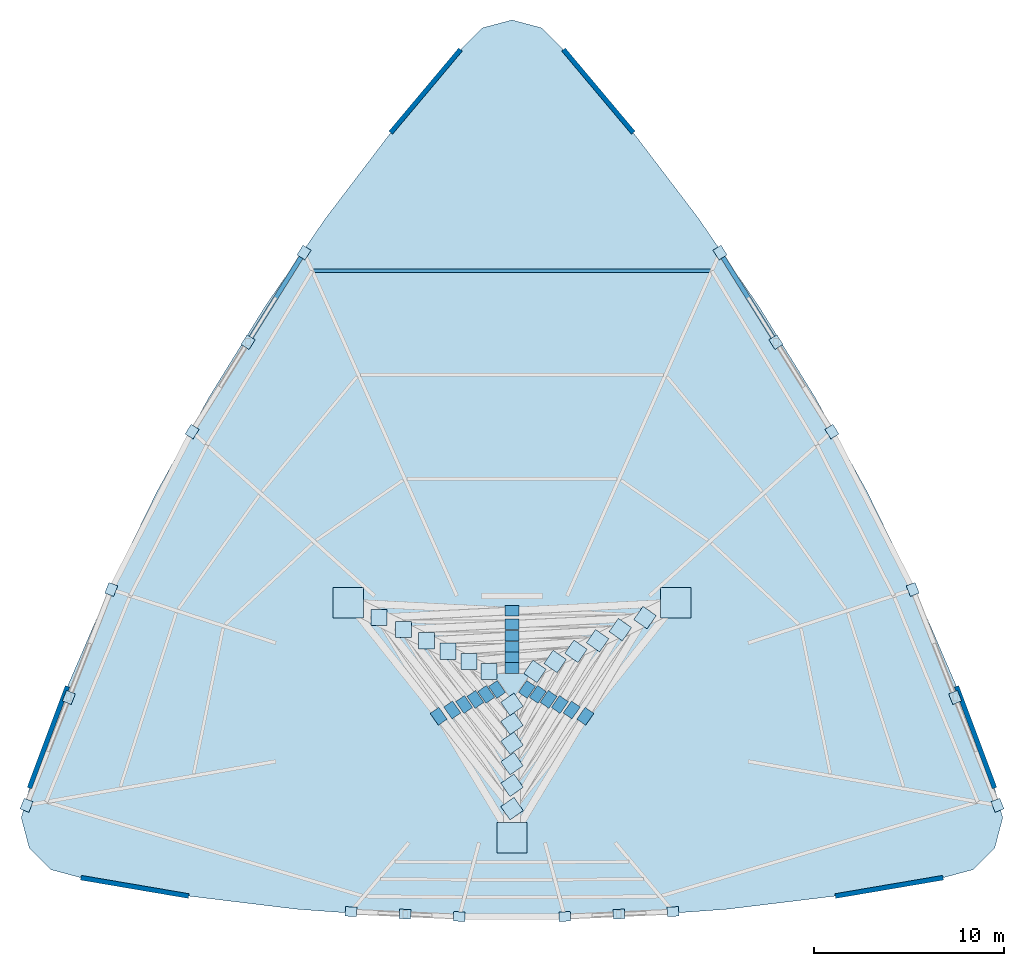
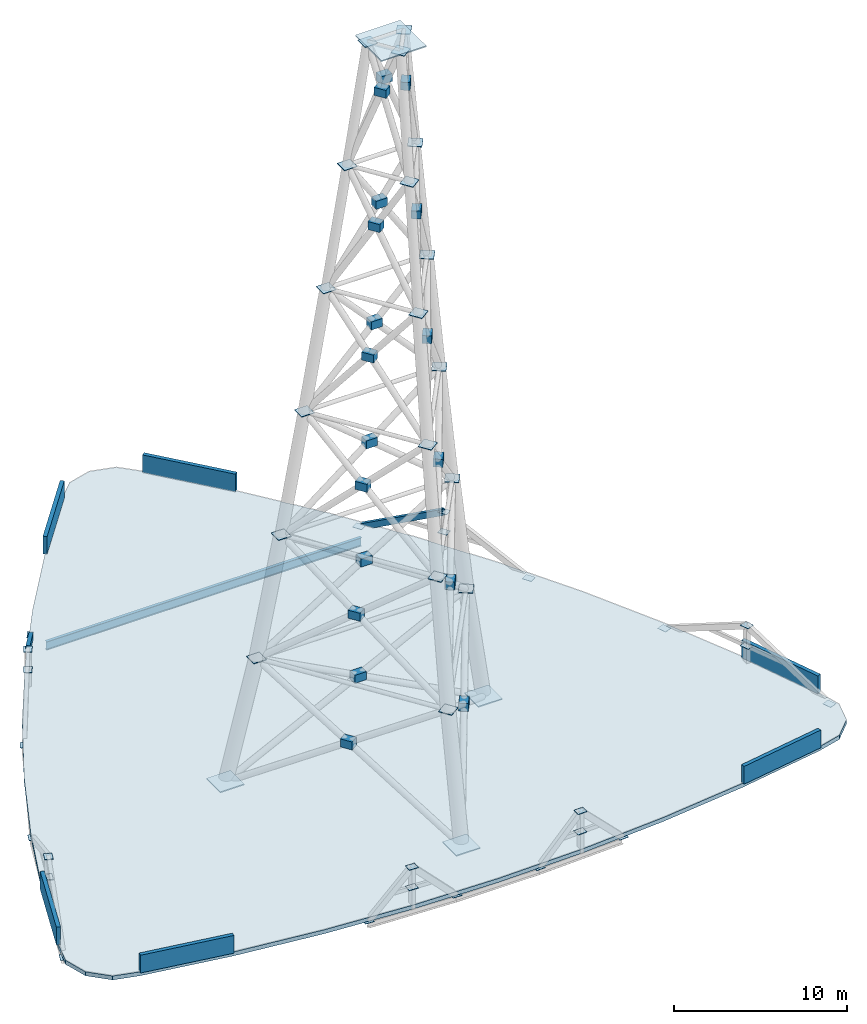
# One storey, part 6 of 7: 64 plates, 6 walls, 2 members, 1 beam, 1 slab.
"""IFC4 building model written with IfcOpenShell, lengths in metres."""

from ifc_helpers import new_model, si_unit, direction, frame, frame_2d, origin, origin_2d, place, context, subcontext, project, spatial, polyline, rectangle, hollow_rectangle, i_section, outline, extrude, source, transform, mapped, material, layer, layer_set, material_profile, profile_set, type_object, element, save


model = new_model("IFC4")

# Units and contexts
model_context = context("Model", 3, precision=1e-05, world=origin(), true_north=direction((0.0, 1.0)))
body_context = subcontext(model_context, "Body", "Model", "MODEL_VIEW")
ifc_project = project(units=[si_unit("LENGTHUNIT", "METRE"), si_unit("AREAUNIT", "SQUARE_METRE"), si_unit("VOLUMEUNIT", "CUBIC_METRE"), si_unit("PLANEANGLEUNIT", "RADIAN"), si_unit("MASSUNIT", "GRAM", prefix="KILO"), si_unit("THERMODYNAMICTEMPERATUREUNIT", "KELVIN"), si_unit("POWERUNIT", "WATT")], contexts=[model_context])

# Site, building, storey
site_placement = place(None, origin())
site = spatial("IfcSite", under=ifc_project, at=site_placement, CompositionType="ELEMENT")
building_placement = place(site_placement, origin())
building = spatial("IfcBuilding", under=site, at=building_placement, Name="Yunzhuo Pagoda Commons", CompositionType="ELEMENT")
storey_placement = place(building_placement, frame((0.0, 0.0, 401.760009765625)))
storey = spatial("IfcBuildingStorey", under=building, at=storey_placement, Name="Roof", CompositionType="ELEMENT", Elevation=401.760009765625)

# Beam
ifc_material_1 = material(Name="Structural steel Q355B", Category="steel")
ifc_material_profile_1 = material_profile(ifc_material_1, i_section(OverallWidth=0.199951171875, OverallDepth=0.60009765625, WebThickness=0.010986328125, FlangeThickness=0.01708984375, at=origin_2d()), Name="Structural steel Q355B")
ifc_profile_set_1 = profile_set([ifc_material_profile_1], Name="Structural steel Q355B")
beam_type = type_object("IfcBeamType", Name="B-RG3 Beam HN 600x200x11x17", PredefinedType="BEAM", material=ifc_profile_set_1)
shared_shape_1 = source(origin(), body_context, "Body", "SweptSolid", [
    extrude(i_section(OverallWidth=0.199951171875, OverallDepth=0.60009765625, WebThickness=0.010986328125, FlangeThickness=0.01708984375, at=origin_2d()), origin(), (0.0, 0.0, 1.0), 20.99755859375),
])
beam_placement = place(storey_placement, frame((58.498779296875, 57.281005859375, -0.580078125), z_axis=(-1.0, 0.0, 0.0), x_axis=(0.0, -1.0, 0.0)))
element("IfcBeam", 1, at=beam_placement, inside=storey, type_object=beam_type, Name="Roof column-ring beam 8", PredefinedType="BEAM", context=body_context, shape_type="MappedRepresentation", body=[
    mapped(shared_shape_1, transform((0.0, 0.0, 0.0), scale=1.0)),
])

# Members
ifc_material_profile_2 = material_profile(ifc_material_1, hollow_rectangle(XDim=0.25, YDim=0.39990234375, WallThickness=0.01611328125, at=origin_2d()), Name="Structural steel Q355B")
ifc_profile_set_2 = profile_set([ifc_material_profile_2], Name="Structural steel Q355B")
member_type = type_object("IfcMemberType", Name="M-RFT Rafter RHS 400x250x16", PredefinedType="RAFTER", material=ifc_profile_set_2)
shared_shape_2 = source(origin(), body_context, "Body", "SweptSolid", [
    extrude(hollow_rectangle(XDim=0.25, YDim=0.39990234375, WallThickness=0.01611328125, at=origin_2d()), origin(), (0.0, 0.0, 1.0), 6.250244140625),
])
member_1_placement = place(storey_placement, frame((58.92578125, 58.239990234375, -0.27978515625), z_axis=(0.470372250007, -0.752626848791, 0.460763250381), x_axis=(0.848008194019, 0.529983115652, 0.0)))
element("IfcMember", 2, at=member_1_placement, inside=storey, type_object=member_type, Name="Crown gable rafter F2.2R", PredefinedType="RAFTER", context=body_context, shape_type="MappedRepresentation", body=[
    mapped(shared_shape_2, transform((0.0, 0.0, 0.0), scale=1.0)),
])
shared_shape_3 = source(origin(), body_context, "Body", "SweptSolid", [
    extrude(hollow_rectangle(XDim=0.25, YDim=0.39990234375, WallThickness=0.01611328125, at=origin_2d()), origin(), (0.0, 0.0, 1.0), 6.25),
])
member_2_placement = place(storey_placement, frame((37.07421875, 58.239990234375, -0.27978515625), z_axis=(-0.470311409191, -0.752654504343, 0.460780181297), x_axis=(0.84804775343, -0.52991981271, 0.0)))
element("IfcMember", 3, at=member_2_placement, inside=storey, type_object=member_type, Name="Crown gable rafter F3.1L", PredefinedType="RAFTER", context=body_context, shape_type="MappedRepresentation", body=[
    mapped(shared_shape_3, transform((0.0, 0.0, 0.0), scale=1.0)),
])

# Slab
ifc_material_2 = material(Name="Concrete C40", Category="concrete")
ifc_layer_1 = layer(ifc_material_2, 0.280029296875)
ifc_layer_set_1 = layer_set([ifc_layer_1], Name="Concrete C40")
slab_type = type_object("IfcSlabType", Name="SL-RF1 Crown Drum Roof Slab 280", PredefinedType="ROOF", material=ifc_layer_set_1)
slab_placement = place(storey_placement, frame((0.0, 0.0, -0.280029296875)))
element("IfcSlab", 4, at=slab_placement, inside=storey, type_object=slab_type, Name="Crown drum structural roof slab", PredefinedType="ROOF", context=body_context, shape_type="SweptSolid", body=[
    extrude(outline(polyline([(22.64892578125, 30.10888671875), (22.2216796875, 28.541259765625), (22.6376953125, 26.970458984375), (23.78466796875, 25.819580078125), (25.353759765625, 25.39794921875), (31.015380859375, 24.43359375), (36.677001953125, 23.7451171875), (42.33837890625, 23.331787109375), (48.0, 23.194091796875), (53.66162109375, 23.331787109375), (59.322998046875, 23.7451171875), (64.984619140625, 24.43359375), (70.646240234375, 25.39794921875), (72.21533203125, 25.819580078125), (73.3623046875, 26.970458984375), (73.7783203125, 28.541259765625), (73.35107421875, 30.10888671875), (71.35302734375, 35.4443359375), (69.1171875, 40.64111328125), (66.643310546875, 45.69873046875), (63.931396484375, 50.61767578125), (60.981689453125, 55.397705078125), (57.7939453125, 60.038818359375), (54.368408203125, 64.541015625), (50.704833984375, 68.904296875), (49.5595703125, 70.04150390625), (48.0, 70.457275390625), (46.4404296875, 70.04150390625), (45.295166015625, 68.904296875), (41.631591796875, 64.541015625), (38.2060546875, 60.038818359375), (35.018310546875, 55.397705078125), (32.068603515625, 50.61767578125), (29.356689453125, 45.69873046875), (26.8828125, 40.64111328125), (24.64697265625, 35.4443359375), (22.64892578125, 30.10888671875)])), origin(), (0.0, 0.0, 1.0), 0.280029296875),
])

# Plates
ifc_layer_2 = layer(ifc_material_1, 0.028076171875)
ifc_layer_set_2 = layer_set([ifc_layer_2], Name="Structural steel Q355B")
plate_type_1 = type_object("IfcPlateType", Name="SP-ND1 Lattice Node Cap Plate 800x500x28", PredefinedType="USERDEFINED", material=ifc_layer_set_2)
shared_shape_4 = source(origin(), body_context, "Body", "SweptSolid", [
    extrude(rectangle(XDim=0.60009765625, YDim=0.5, at=origin_2d()), origin(), (0.0, 0.0, 1.0), 0.028076171875),
])
for number, where, z_axis, x_axis, name in (
    (5, (42.38427734375, 23.48779296875, 2.5859375), (0.0, 0.0, 1.0), (0.998968193221, -0.045415294044, 0.0), "Crown gable connection plate F1.1.PK"),
    (6, (42.38427734375, 23.48779296875, 1.14599609375), (0.0, 0.0, 1.0), (0.998968193221, -0.045415294044, 0.0), "Crown gable connection plate F1.1.MD"),
    (7, (39.53955078125, 23.6171875, -0.2939453125), (0.0, 0.0, 1.0), (0.998968193221, -0.045415294044, 0.0), "Crown gable connection plate F1.1.EL"),
    (8, (45.22900390625, 23.358642578125, -0.2939453125), (0.0, 0.0, 1.0), (0.998968193221, -0.045415294044, 0.0), "Crown gable connection plate F1.1.ER"),
    (9, (53.61572265625, 23.48779296875, 2.5859375), (0.0, 0.0, 1.0), (0.998968193221, 0.045415294044, 0.0), "Crown gable connection plate F1.2.PK"),
    (10, (53.61572265625, 23.48779296875, 1.14599609375), (0.0, 0.0, 1.0), (0.998968193221, 0.045415294044, 0.0), "Crown gable connection plate F1.2.MD"),
    (11, (50.77099609375, 23.358642578125, -0.2939453125), (0.0, 0.0, 1.0), (0.998968193221, 0.045415294044, 0.0), "Crown gable connection plate F1.2.EL"),
    (12, (56.46044921875, 23.6171875, -0.2939453125), (0.0, 0.0, 1.0), (0.998968193221, 0.045415294044, 0.0), "Crown gable connection plate F1.2.ER"),
    (13, (71.278076171875, 34.87158203125, 2.5859375), (0.0, 0.0, 1.0), (-0.365526694947, 0.930800856941, 0.0), "Crown gable connection plate F2.1.PK"),
    (14, (71.278076171875, 34.87158203125, 1.14599609375), (0.0, 0.0, 1.0), (-0.365526694947, 0.930800856941, 0.0), "Crown gable connection plate F2.1.MD"),
    (15, (73.504150390625, 29.202880859375, -0.2939453125), (0.0, 0.0, 1.0), (-0.365526694947, 0.930800856941, 0.0), "Crown gable connection plate F2.1.EL"),
    (16, (69.052001953125, 40.540283203125, -0.2939453125), (0.0, 0.0, 1.0), (-0.365526694947, 0.930800856941, 0.0), "Crown gable connection plate F2.1.ER"),
    (17, (61.865478515625, 53.53564453125, 2.5859375), (0.0, 0.0, 1.0), (-0.529904462921, 0.848057344863, 0.0), "Crown gable connection plate F2.2.PK"),
    (18, (61.865478515625, 53.53564453125, 1.14599609375), (0.0, 0.0, 1.0), (-0.529904462921, 0.848057344863, 0.0), "Crown gable connection plate F2.2.MD"),
    (19, (64.804931640625, 48.831298828125, -0.2939453125), (0.0, 0.0, 1.0), (-0.529904462921, 0.848057344863, 0.0), "Crown gable connection plate F2.2.EL"),
    (20, (58.92578125, 58.239990234375, -0.2939453125), (0.0, 0.0, 1.0), (-0.529904462921, 0.848057344863, 0.0), "Crown gable connection plate F2.2.ER"),
    (21, (34.134521484375, 53.53564453125, 2.5859375), (0.0, 0.0, 1.0), (-0.529904462921, -0.848057344863, 0.0), "Crown gable connection plate F3.1.PK"),
    (22, (34.134521484375, 53.53564453125, 1.14599609375), (0.0, 0.0, 1.0), (-0.529904462921, -0.848057344863, 0.0), "Crown gable connection plate F3.1.MD"),
    (23, (37.07421875, 58.239990234375, -0.2939453125), (0.0, 0.0, 1.0), (-0.529904462921, -0.848057344863, 0.0), "Crown gable connection plate F3.1.EL"),
    (24, (31.195068359375, 48.831298828125, -0.2939453125), (0.0, 0.0, 1.0), (-0.529904462921, -0.848057344863, 0.0), "Crown gable connection plate F3.1.ER"),
    (25, (24.7216796875, 34.87158203125, 2.5859375), (0.0, 0.0, 1.0), (-0.365526694947, -0.930800856941, 0.0), "Crown gable connection plate F3.2.PK"),
    (26, (24.7216796875, 34.87158203125, 1.14599609375), (0.0, 0.0, 1.0), (-0.365526694947, -0.930800856941, 0.0), "Crown gable connection plate F3.2.MD"),
    (27, (26.947998046875, 40.540283203125, -0.2939453125), (0.0, 0.0, 1.0), (-0.365526694947, -0.930800856941, 0.0), "Crown gable connection plate F3.2.EL"),
    (28, (22.495849609375, 29.202880859375, -0.2939453125), (0.0, 0.0, 1.0), (-0.365526694947, -0.930800856941, 0.0), "Crown gable connection plate F3.2.ER"),
):
    element("IfcPlate", number, at=place(storey_placement, frame(where, z_axis=z_axis, x_axis=x_axis)), inside=storey, type_object=plate_type_1, Name=name, ObjectType="STIFFENER_PLATE", PredefinedType="USERDEFINED", context=body_context, shape_type="MappedRepresentation", body=[
        mapped(shared_shape_4, transform((0.0, 0.0, 0.0), scale=1.0)),
    ])
ifc_material_3 = material(Name="Structural steel Q420B", Category="steel")
ifc_layer_3 = layer(ifc_material_3, 0.080078125)
ifc_layer_set_3 = layer_set([ifc_layer_3], Name="Structural steel Q420B")
plate_type_2 = type_object("IfcPlateType", Name="BP-M1 Mast Base Plate 1600x1600x80", PredefinedType="USERDEFINED", material=ifc_layer_set_3)
shared_shape_5 = source(origin(), body_context, "Body", "SweptSolid", [
    extrude(rectangle(XDim=1.60009765625, YDim=1.60009765625, at=origin_2d()), origin(), (0.0, 0.0, 1.0), 0.080078125),
])
for number, where, z_axis, x_axis, name in (
    (29, (39.39990234375, 39.85009765625, -0.320068359375), (0.0, 0.0, 1.0), (1.0, 0.0, 0.0), "Broadcast mast base plate BP-M1 leg 1"),
    (30, (56.60009765625, 39.85009765625, -0.320068359375), (0.0, 0.0, 1.0), (1.0, 0.0, 0.0), "Broadcast mast base plate BP-M1 leg 2"),
    (31, (48.0, 27.5, -0.320068359375), (0.0, 0.0, 1.0), (1.0, 0.0, 0.0), "Broadcast mast base plate BP-M1 leg 3"),
):
    element("IfcPlate", number, at=place(storey_placement, frame(where, z_axis=z_axis, x_axis=x_axis)), inside=storey, type_object=plate_type_2, Name=name, ObjectType="BASE_PLATE", PredefinedType="USERDEFINED", context=body_context, shape_type="MappedRepresentation", body=[
        mapped(shared_shape_5, transform((0.0, 0.0, 0.0), scale=1.0)),
    ])
shared_shape_6 = source(origin(), body_context, "Body", "SweptSolid", [
    extrude(rectangle(XDim=0.760009765625, YDim=0.56005859375, at=origin_2d()), origin(), (0.0, 0.0, 1.0), 0.56005859375),
])
for number, where, z_axis, x_axis, name in (
    (32, (48.0, 39.41552734375, 4.19677734375), (0.0, 0.0, 1.0), (1.0, 0.0, 0.0), "Broadcast mast X-crossing node plate T1.1"),
    (33, (51.85498046875, 33.87939453125, 4.19677734375), (0.0, 0.0, 1.0), (-0.57145858392, -0.820630907817, 0.0), "Broadcast mast X-crossing node plate T1.2"),
    (34, (44.14501953125, 33.87939453125, 4.19677734375), (0.0, 0.0, 1.0), (-0.57145858392, 0.820630907817, 0.0), "Broadcast mast X-crossing node plate T1.3"),
    (35, (48.0, 38.714111328125, 12.8125), (0.0, 0.0, 1.0), (1.0, 0.0, 0.0), "Broadcast mast X-crossing node plate T2.1"),
    (36, (51.136962890625, 34.209228515625, 12.8125), (0.0, 0.0, 1.0), (-0.57145858392, -0.820630907817, 0.0), "Broadcast mast X-crossing node plate T2.2"),
    (37, (44.863037109375, 34.209228515625, 12.8125), (0.0, 0.0, 1.0), (-0.57145858392, 0.820630907817, 0.0), "Broadcast mast X-crossing node plate T2.3"),
    (38, (48.0, 38.10400390625, 21.500244140625), (0.0, 0.0, 1.0), (1.0, 0.0, 0.0), "Broadcast mast X-crossing node plate T3.1"),
    (39, (50.51220703125, 34.49609375, 21.500244140625), (0.0, 0.0, 1.0), (-0.57145858392, -0.820630907817, 0.0), "Broadcast mast X-crossing node plate T3.2"),
    (40, (45.48779296875, 34.49609375, 21.500244140625), (0.0, 0.0, 1.0), (-0.57145858392, 0.820630907817, 0.0), "Broadcast mast X-crossing node plate T3.3"),
    (41, (48.0, 37.5283203125, 30.239501953125), (0.0, 0.0, 1.0), (1.0, 0.0, 0.0), "Broadcast mast X-crossing node plate T4.1"),
    (42, (49.923095703125, 34.7666015625, 30.239501953125), (0.0, 0.0, 1.0), (-0.57145858392, -0.820630907817, 0.0), "Broadcast mast X-crossing node plate T4.2"),
    (43, (46.076904296875, 34.7666015625, 30.239501953125), (0.0, 0.0, 1.0), (-0.57145858392, 0.820630907817, 0.0), "Broadcast mast X-crossing node plate T4.3"),
    (44, (48.0, 36.9716796875, 39.075927734375), (0.0, 0.0, 1.0), (1.0, 0.0, 0.0), "Broadcast mast X-crossing node plate T5.1"),
    (45, (49.353271484375, 35.0283203125, 39.076171875), (0.0, 0.0, 1.0), (-0.571444261122, -0.820640881526, 0.0), "Broadcast mast X-crossing node plate T5.2"),
    (46, (46.646728515625, 35.028564453125, 39.076171875), (0.0, 0.0, 1.0), (-0.571444261122, 0.820640881526, 0.0), "Broadcast mast X-crossing node plate T5.3"),
    (47, (48.0, 36.41796875, 48.17822265625), (0.0, 0.0, 1.0), (1.0, 0.0, 0.0), "Broadcast mast X-crossing node plate T6.1"),
    (48, (48.7861328125, 35.288818359375, 48.17822265625), (0.0, 0.0, 1.0), (-0.57145858392, -0.820630907817, 0.0), "Broadcast mast X-crossing node plate T6.2"),
    (49, (47.2138671875, 35.288818359375, 48.17822265625), (0.0, 0.0, 1.0), (-0.57145858392, 0.820630907817, 0.0), "Broadcast mast X-crossing node plate T6.3"),
):
    element("IfcPlate", number, at=place(storey_placement, frame(where, z_axis=z_axis, x_axis=x_axis)), inside=storey, type_object=plate_type_1, Name=name, ObjectType="STIFFENER_PLATE", PredefinedType="USERDEFINED", context=body_context, shape_type="MappedRepresentation", body=[
        mapped(shared_shape_6, transform((0.0, 0.0, 0.0), scale=1.0)),
    ])
shared_shape_7 = source(origin(), body_context, "Body", "SweptSolid", [
    extrude(rectangle(XDim=0.85009765625, YDim=0.85009765625, at=origin_2d()), origin(), (0.0, 0.0, 1.0), 0.0400390625),
])
for number, where, z_axis, x_axis, name in (
    (50, (41.0126953125, 39.0625, 8.32177734375), (0.0, 0.0, 1.0), (1.0, 0.0, 0.0), "Broadcast mast tier ring gusset plate T1.1"),
    (51, (54.9873046875, 39.0625, 8.32177734375), (0.0, 0.0, 1.0), (-0.57145858392, -0.820630907817, 0.0), "Broadcast mast tier ring gusset plate T1.2"),
    (52, (48.0, 29.0283203125, 8.32177734375), (0.0, 0.0, 1.0), (-0.57145858392, 0.820630907817, 0.0), "Broadcast mast tier ring gusset plate T1.3"),
    (53, (42.306884765625, 38.430419921875, 16.943359375), (0.0, 0.0, 1.0), (1.0, 0.0, 0.0), "Broadcast mast tier ring gusset plate T2.1"),
    (54, (53.693115234375, 38.430419921875, 16.943359375), (0.0, 0.0, 1.0), (-0.57145858392, -0.820630907817, 0.0), "Broadcast mast tier ring gusset plate T2.2"),
    (55, (48.0, 30.2548828125, 16.943359375), (0.0, 0.0, 1.0), (-0.57145858392, 0.820630907817, 0.0), "Broadcast mast tier ring gusset plate T2.3"),
    (56, (43.503173828125, 37.84619140625, 25.56494140625), (0.0, 0.0, 1.0), (1.0, 0.0, 0.0), "Broadcast mast tier ring gusset plate T3.1"),
    (57, (52.496826171875, 37.84619140625, 25.56494140625), (0.0, 0.0, 1.0), (-0.57145858392, -0.820630907817, 0.0), "Broadcast mast tier ring gusset plate T3.2"),
    (58, (48.0, 31.388427734375, 25.56494140625), (0.0, 0.0, 1.0), (-0.57145858392, 0.820630907817, 0.0), "Broadcast mast tier ring gusset plate T3.3"),
    (59, (44.639892578125, 37.291015625, 34.186767578125), (0.0, 0.0, 1.0), (1.0, 0.0, 0.0), "Broadcast mast tier ring gusset plate T4.1"),
    (60, (51.360107421875, 37.291015625, 34.186767578125), (0.0, 0.0, 1.0), (-0.57145858392, -0.820630907817, 0.0), "Broadcast mast tier ring gusset plate T4.2"),
    (61, (48.0, 32.4658203125, 34.186767578125), (0.0, 0.0, 1.0), (-0.57145858392, 0.820630907817, 0.0), "Broadcast mast tier ring gusset plate T4.3"),
    (62, (45.734130859375, 36.756591796875, 42.808349609375), (0.0, 0.0, 1.0), (1.0, 0.0, 0.0), "Broadcast mast tier ring gusset plate T5.1"),
    (63, (50.265869140625, 36.756591796875, 42.808349609375), (0.0, 0.0, 1.0), (-0.571444261122, -0.820640881526, 0.0), "Broadcast mast tier ring gusset plate T5.2"),
    (64, (48.0, 33.502685546875, 42.808349609375), (0.0, 0.0, 1.0), (-0.571444261122, 0.820640881526, 0.0), "Broadcast mast tier ring gusset plate T5.3"),
    (65, (46.7958984375, 36.238037109375, 51.429931640625), (0.0, 0.0, 1.0), (1.0, 0.0, 0.0), "Broadcast mast tier ring gusset plate T6.1"),
    (66, (49.2041015625, 36.238037109375, 51.429931640625), (0.0, 0.0, 1.0), (-0.57145858392, -0.820630907817, 0.0), "Broadcast mast tier ring gusset plate T6.2"),
    (67, (48.0, 34.509033203125, 51.429931640625), (0.0, 0.0, 1.0), (-0.57145858392, 0.820630907817, 0.0), "Broadcast mast tier ring gusset plate T6.3"),
):
    element("IfcPlate", number, at=place(storey_placement, frame(where, z_axis=z_axis, x_axis=x_axis)), inside=storey, type_object=plate_type_1, Name=name, ObjectType="STIFFENER_PLATE", PredefinedType="USERDEFINED", context=body_context, shape_type="MappedRepresentation", body=[
        mapped(shared_shape_7, transform((0.0, 0.0, 0.0), scale=1.0)),
    ])
shared_shape_8 = source(origin(), body_context, "Body", "SweptSolid", [
    extrude(rectangle(XDim=3.0, YDim=3.0, at=origin_2d()), origin(), (0.0, 0.0, 1.0), 0.080078125),
])
plate_placement = place(storey_placement, frame((48.0, 35.64990234375, 51.409912109375), z_axis=(0.0, 0.0, 1.0), x_axis=(1.0, 0.0, 0.0)))
element("IfcPlate", 68, at=plate_placement, inside=storey, type_object=plate_type_1, Name="Broadcast mast pinnacle cap plate", ObjectType="STIFFENER_PLATE", PredefinedType="USERDEFINED", context=body_context, shape_type="MappedRepresentation", body=[
    mapped(shared_shape_8, transform((0.0, 0.0, 0.0), scale=1.0)),
])

# Walls
ifc_material_4 = material(Name="Precast concrete C40", Category="concrete")
ifc_layer_4 = layer(ifc_material_4, 0.25)
ifc_layer_set_4 = layer_set([ifc_layer_4], Name="Precast concrete C40")
wall_type = type_object("IfcWallType", Name="W-PAR1 Roof Parapet Upstand Wall 250", PredefinedType="PARAPET", material=ifc_layer_set_4)
for number, where, z_axis, x_axis, name in (
    (69, (25.353759765625, 25.39794921875, 0.0), (0.0, 0.0, 1.0), (0.985801713022, -0.167913616491, 0.0), "Roof parapet upstand wall F1.0"),
    (70, (64.984619140625, 24.43359375, 0.0), (0.0, 0.0, 1.0), (0.985801713022, 0.167913616491, 0.0), "Roof parapet upstand wall F1.7"),
):
    element("IfcWall", number, at=place(storey_placement, frame(where, z_axis=z_axis, x_axis=x_axis)), inside=storey, type_object=wall_type, Name=name, PredefinedType="PARAPET", context=body_context, shape_type="SweptSolid", body=[
        extrude(rectangle(XDim=5.7431640625, YDim=0.25, at=frame_2d((2.87158203125, 0.0))), origin(), (0.0, 0.0, 1.0), 1.25),
    ])
for number, where, z_axis, x_axis, name in (
    (71, (73.35107421875, 30.10888671875, 0.0), (0.0, 0.0, 1.0), (-0.350700755969, 0.936487575872, 0.0), "Roof parapet upstand wall F2.0"),
    (72, (54.368408203125, 64.541015625, 0.0), (0.0, 0.0, 1.0), (-0.64302926843, 0.765841602384, 0.0), "Roof parapet upstand wall F2.7"),
    (73, (45.295166015625, 68.904296875, 0.0), (0.0, 0.0, 1.0), (-0.64302926843, -0.765841602384, 0.0), "Roof parapet upstand wall F3.0"),
    (74, (24.64697265625, 35.4443359375, 0.0), (0.0, 0.0, 1.0), (-0.350700755969, -0.936487575872, 0.0), "Roof parapet upstand wall F3.7"),
):
    element("IfcWall", number, at=place(storey_placement, frame(where, z_axis=z_axis, x_axis=x_axis)), inside=storey, type_object=wall_type, Name=name, PredefinedType="PARAPET", context=body_context, shape_type="SweptSolid", body=[
        extrude(rectangle(XDim=5.697265625, YDim=0.25, at=frame_2d((2.8486328125, 0.0))), origin(), (0.0, 0.0, 1.0), 1.25),
    ])

save(model, "model.ifc")
